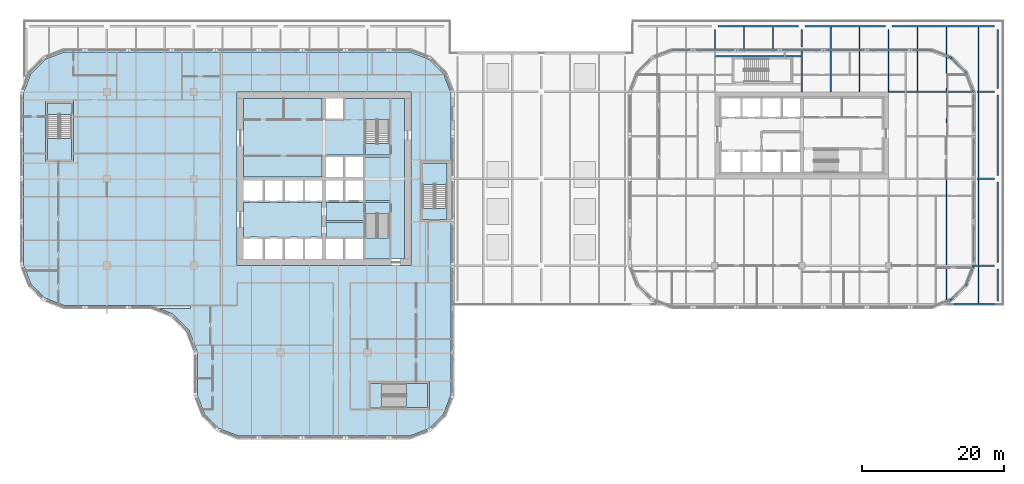
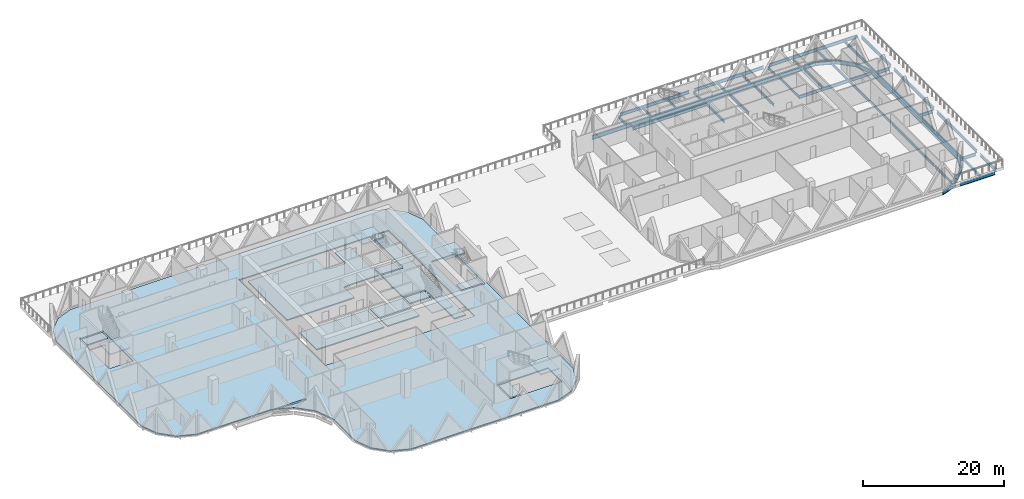
# One storey, part 4 of 21: 43 beams, 16 slabs, 5 elements without a shape of their own.
"""IFC4 building model written with IfcOpenShell, lengths in metres."""

from ifc_helpers import new_model, si_unit, direction, frame, origin, origin_2d, place, context, subcontext, project, spatial, polyline, i_section, outline, extrude, material, layer, layer_set, material_profile, profile_set, type_object, element, aggregate, save


model = new_model("IFC4")

# Units and contexts
model_context = context("Model", 3, precision=1e-05, world=origin(), true_north=direction((0.0, 1.0)))
body_context = subcontext(model_context, "Body", "Model", "MODEL_VIEW")
ifc_project = project(units=[si_unit("LENGTHUNIT", "METRE"), si_unit("AREAUNIT", "SQUARE_METRE"), si_unit("VOLUMEUNIT", "CUBIC_METRE"), si_unit("PLANEANGLEUNIT", "RADIAN"), si_unit("MASSUNIT", "GRAM", prefix="KILO")], contexts=[model_context])

# Site, building, storey
site_placement = place(None, origin())
site = spatial("IfcSite", under=ifc_project, at=site_placement, CompositionType="ELEMENT")
building_placement = place(site_placement, origin())
building = spatial("IfcBuilding", under=site, at=building_placement, Name="Tessera Gate Towers", CompositionType="ELEMENT")
storey_placement = place(building_placement, frame((0.0, 0.0, 16.800048828125)))
storey = spatial("IfcBuildingStorey", under=building, at=storey_placement, Name="L03", CompositionType="ELEMENT", Elevation=16.800048828125)

# Beams
ifc_material_1 = material(Name="Steel 350W", Category="steel")
ifc_material_profile_1 = material_profile(ifc_material_1, i_section(OverallWidth=0.2529296875, OverallDepth=0.677978515625, WebThickness=0.01171875, FlangeThickness=0.016357421875, at=origin_2d()), Name="W690x125")
ifc_profile_set_1 = profile_set([ifc_material_profile_1], Name="Steel 350W")
beam_type_1 = type_object("IfcBeamType", Name="FLOOR EDGE GIRDER W690x125", PredefinedType="BEAM", material=ifc_profile_set_1)
for number, where, z_axis, x_axis, name in (
    (1, (128.0380859375, 18.5439453125, -0.7890625), (0.932978940178, 0.359930961693, 0.0), (-0.359930961693, 0.932978940178, 0.0), "T2-GD-L03-640"),
    (2, (130.7900390625, 19.595703125, -0.339111328125), (0.707106781187, 0.707106781187, 0.0), (-0.707106781187, 0.707106781187, 0.0), "T2-GD-L03-641"),
    (3, (132.8798828125, 21.67236328125, -0.339111328125), (0.359930961693, 0.932978940178, 0.0), (-0.932978940178, 0.359930961693, 0.0), "T2-GD-L03-642"),
):
    element("IfcBeam", number, at=place(storey_placement, frame(where, z_axis=z_axis, x_axis=x_axis)), inside=storey, type_object=beam_type_1, Name=name, PredefinedType="BEAM", context=body_context, shape_type="SweptSolid", body=[
        extrude(i_section(OverallWidth=0.2529296875, OverallDepth=0.677978515625, WebThickness=0.01171875, FlangeThickness=0.016357421875, at=origin_2d()), origin(), (0.0, 0.0, 1.0), 2.989990234375),
    ])
beam_1_placement = place(storey_placement, frame((133.949951171875, 24.429931640625, -0.339111328125), z_axis=(0.0, 1.0, 0.0), x_axis=(-1.0, 0.0, 0.0)))
element("IfcBeam", 4, at=beam_1_placement, inside=storey, type_object=beam_type_1, Name="T2-GD-L03-643", PredefinedType="BEAM", context=body_context, shape_type="SweptSolid", body=[
    extrude(i_section(OverallWidth=0.2529296875, OverallDepth=0.677978515625, WebThickness=0.01171875, FlangeThickness=0.016357421875, at=origin_2d()), origin(), (0.0, 0.0, 1.0), 24.340087890625),
])
for number, where, z_axis, x_axis, name in (
    (5, (132.8798828125, 51.527587890625, -0.339111328125), (0.359930961693, -0.932978940178, 0.0), (0.932978940178, 0.359930961693, 0.0), "T2-GD-L03-644"),
    (6, (130.7900390625, 53.604248046875, -0.339111328125), (0.707106781187, -0.707106781187, 0.0), (0.707106781187, 0.707106781187, 0.0), "T2-GD-L03-645"),
    (7, (128.0380859375, 54.656005859375, -0.339111328125), (0.932978940178, -0.359930961693, 0.0), (0.359930961693, 0.932978940178, 0.0), "T2-GD-L03-646"),
):
    element("IfcBeam", number, at=place(storey_placement, frame(where, z_axis=z_axis, x_axis=x_axis)), inside=storey, type_object=beam_type_1, Name=name, PredefinedType="BEAM", context=body_context, shape_type="SweptSolid", body=[
        extrude(i_section(OverallWidth=0.2529296875, OverallDepth=0.677978515625, WebThickness=0.01171875, FlangeThickness=0.016357421875, at=origin_2d()), origin(), (0.0, 0.0, 1.0), 2.989990234375),
    ])
beam_2_placement = place(storey_placement, frame((91.530029296875, 54.64990234375, -0.339111328125), z_axis=(1.0, 0.0, 0.0), x_axis=(0.0, 1.0, 0.0)))
element("IfcBeam", 8, at=beam_2_placement, inside=storey, type_object=beam_type_1, Name="T2-GD-L03-647", PredefinedType="BEAM", context=body_context, shape_type="SweptSolid", body=[
    extrude(i_section(OverallWidth=0.2529296875, OverallDepth=0.677978515625, WebThickness=0.01171875, FlangeThickness=0.016357421875, at=origin_2d()), origin(), (0.0, 0.0, 1.0), 36.5400390625),
])
ifc_material_2 = material(Name="Steel 350W", Category="steel")
ifc_material_profile_2 = material_profile(ifc_material_2, i_section(OverallWidth=0.208984375, OverallDepth=0.532958984375, WebThickness=0.01025390625, FlangeThickness=0.015625, at=origin_2d()), Name="W530x92")
ifc_profile_set_2 = profile_set([ifc_material_profile_2], Name="Steel 350W")
beam_type_2 = type_object("IfcBeamType", Name="FLOOR GIRDER W530x92", PredefinedType="BEAM", material=ifc_profile_set_2)
beam_3_placement = place(storey_placement, frame((122.0009765625, 48.800048828125, -0.466552734375), z_axis=(1.0, 0.0, 0.0), x_axis=(0.0, 1.0, 0.0)))
element("IfcBeam", 9, at=beam_3_placement, inside=storey, type_object=beam_type_2, Name="T2-GD-L03-663", PredefinedType="BEAM", context=body_context, shape_type="SweptSolid", body=[
    extrude(i_section(OverallWidth=0.208984375, OverallDepth=0.532958984375, WebThickness=0.01025390625, FlangeThickness=0.015625, at=origin_2d()), origin(), (0.0, 0.0, 1.0), 11.79541015625),
])
beam_4_placement = place(storey_placement, frame((97.676513671875, 53.820068359375, -0.466552734375), z_axis=(1.0, 0.0, 0.0), x_axis=(0.0, 1.0, 0.0)))
element("IfcBeam", 10, at=beam_4_placement, inside=storey, type_object=beam_type_2, Name="T2-GD-L03-671", PredefinedType="BEAM", context=body_context, shape_type="SweptSolid", body=[
    extrude(i_section(OverallWidth=0.208984375, OverallDepth=0.532958984375, WebThickness=0.01025390625, FlangeThickness=0.015625, at=origin_2d()), origin(), (0.0, 0.0, 1.0), 12.046875),
])
beam_5_placement = place(storey_placement, frame((131.156005859375, 19.0, -0.716552734375), z_axis=(1.0, 0.0, 0.0), x_axis=(0.0, 1.0, 0.0)))
element("IfcBeam", 11, at=beam_5_placement, inside=storey, type_object=beam_type_2, Name="PD-R-GD-L03-704", PredefinedType="BEAM", context=body_context, shape_type="SweptSolid", body=[
    extrude(i_section(OverallWidth=0.208984375, OverallDepth=0.532958984375, WebThickness=0.01025390625, FlangeThickness=0.015625, at=origin_2d()), origin(), (0.0, 0.0, 1.0), 5.694091796875),
])
beam_6_placement = place(storey_placement, frame((133.79638671875, 24.39990234375, -0.716552734375), z_axis=(1.0, 0.0, 0.0), x_axis=(0.0, 1.0, 0.0)))
element("IfcBeam", 12, at=beam_6_placement, inside=storey, type_object=beam_type_2, Name="PD-R-GD-L03-714", PredefinedType="BEAM", context=body_context, shape_type="SweptSolid", body=[
    extrude(i_section(OverallWidth=0.208984375, OverallDepth=0.532958984375, WebThickness=0.01025390625, FlangeThickness=0.015625, at=origin_2d()), origin(), (0.0, 0.0, 1.0), 3.0537109375),
])
for number, where, z_axis, x_axis, name in (
    (13, (134.39990234375, 36.60009765625, -0.716552734375), (1.0, 0.0, 0.0), (0.0, 1.0, 0.0), "PD-R-GD-L03-717"),
    (14, (134.39990234375, 48.800048828125, -0.716552734375), (1.0, 0.0, 0.0), (0.0, 1.0, 0.0), "PD-R-GD-L03-720"),
):
    element("IfcBeam", number, at=place(storey_placement, frame(where, z_axis=z_axis, x_axis=x_axis)), inside=storey, type_object=beam_type_2, Name=name, PredefinedType="BEAM", context=body_context, shape_type="SweptSolid", body=[
        extrude(i_section(OverallWidth=0.208984375, OverallDepth=0.532958984375, WebThickness=0.01025390625, FlangeThickness=0.015625, at=origin_2d()), origin(), (0.0, 0.0, 1.0), 2.4501953125),
    ])
for number, where, z_axis, x_axis, name in (
    (15, (98.050048828125, 58.0, -0.716552734375), (1.0, 0.0, 0.0), (0.0, 1.0, 0.0), "PD-R-GD-L03-727"),
    (16, (110.25, 58.0, -0.716552734375), (1.0, 0.0, 0.0), (0.0, 1.0, 0.0), "PD-R-GD-L03-728"),
):
    element("IfcBeam", number, at=place(storey_placement, frame(where, z_axis=z_axis, x_axis=x_axis)), inside=storey, type_object=beam_type_2, Name=name, PredefinedType="BEAM", context=body_context, shape_type="SweptSolid", body=[
        extrude(i_section(OverallWidth=0.208984375, OverallDepth=0.532958984375, WebThickness=0.01025390625, FlangeThickness=0.015625, at=origin_2d()), origin(), (0.0, 0.0, 1.0), 11.300048828125),
    ])
beam_7_placement = place(storey_placement, frame((122.449951171875, 58.0, -0.716552734375), z_axis=(1.0, 0.0, 0.0), x_axis=(0.0, 1.0, 0.0)))
element("IfcBeam", 17, at=beam_7_placement, inside=storey, type_object=beam_type_2, Name="PD-R-GD-L03-729", PredefinedType="BEAM", context=body_context, shape_type="SweptSolid", body=[
    extrude(i_section(OverallWidth=0.208984375, OverallDepth=0.532958984375, WebThickness=0.01025390625, FlangeThickness=0.015625, at=origin_2d()), origin(), (0.0, 0.0, 1.0), 14.400146484375),
])
beam_8_placement = place(storey_placement, frame((137.300048828125, 19.449951171875, -0.716552734375), z_axis=(0.0, 1.0, 0.0), x_axis=(-1.0, 0.0, 0.0)))
element("IfcBeam", 18, at=beam_8_placement, inside=storey, type_object=beam_type_2, Name="PD-R-GD-L03-736", PredefinedType="BEAM", context=body_context, shape_type="SweptSolid", body=[
    extrude(i_section(OverallWidth=0.208984375, OverallDepth=0.532958984375, WebThickness=0.01025390625, FlangeThickness=0.015625, at=origin_2d()), origin(), (0.0, 0.0, 1.0), 4.5),
])
beam_9_placement = place(storey_placement, frame((137.300048828125, 24.85009765625, -0.716552734375), z_axis=(0.0, 1.0, 0.0), x_axis=(-1.0, 0.0, 0.0)))
element("IfcBeam", 19, at=beam_9_placement, inside=storey, type_object=beam_type_2, Name="PD-R-GD-L03-737", PredefinedType="BEAM", context=body_context, shape_type="SweptSolid", body=[
    extrude(i_section(OverallWidth=0.208984375, OverallDepth=0.532958984375, WebThickness=0.01025390625, FlangeThickness=0.015625, at=origin_2d()), origin(), (0.0, 0.0, 1.0), 11.2998046875),
])
beam_10_placement = place(storey_placement, frame((137.300048828125, 37.050048828125, -0.716552734375), z_axis=(0.0, 1.0, 0.0), x_axis=(-1.0, 0.0, 0.0)))
element("IfcBeam", 20, at=beam_10_placement, inside=storey, type_object=beam_type_2, Name="PD-R-GD-L03-738", PredefinedType="BEAM", context=body_context, shape_type="SweptSolid", body=[
    extrude(i_section(OverallWidth=0.208984375, OverallDepth=0.532958984375, WebThickness=0.01025390625, FlangeThickness=0.015625, at=origin_2d()), origin(), (0.0, 0.0, 1.0), 11.300048828125),
])
beam_11_placement = place(storey_placement, frame((137.300048828125, 49.25, -0.716552734375), z_axis=(0.0, 1.0, 0.0), x_axis=(-1.0, 0.0, 0.0)))
element("IfcBeam", 21, at=beam_11_placement, inside=storey, type_object=beam_type_2, Name="PD-R-GD-L03-739", PredefinedType="BEAM", context=body_context, shape_type="SweptSolid", body=[
    extrude(i_section(OverallWidth=0.208984375, OverallDepth=0.532958984375, WebThickness=0.01025390625, FlangeThickness=0.015625, at=origin_2d()), origin(), (0.0, 0.0, 1.0), 8.300048828125),
])
ifc_material_3 = material(Name="Steel 350W", Category="steel")
ifc_material_profile_3 = material_profile(ifc_material_3, i_section(OverallWidth=0.153076171875, OverallDepth=0.455078125, WebThickness=0.008056640625, FlangeThickness=0.01318359375, at=origin_2d()), Name="W460x60")
ifc_profile_set_3 = profile_set([ifc_material_profile_3], Name="Steel 350W")
beam_type_3 = type_object("IfcBeamType", Name="FLOOR SECONDARY W460x60", PredefinedType="BEAM", material=ifc_profile_set_3)
for number, where, z_axis, x_axis, name in (
    (22, (109.800048828125, 48.800048828125, -0.427490234375), (0.0, 1.0, 0.0), (-1.0, 0.0, 0.0), "T2-BM-L03-685"),
    (23, (113.86669921875, 48.800048828125, -0.427490234375), (0.0, 1.0, 0.0), (-1.0, 0.0, 0.0), "T2-BM-L03-688"),
    (24, (117.933349609375, 48.800048828125, -0.427490234375), (0.0, 1.0, 0.0), (-1.0, 0.0, 0.0), "T2-BM-L03-691"),
    (25, (122.0, 48.800048828125, -0.427490234375), (0.0, 1.0, 0.0), (-1.0, 0.0, 0.0), "T2-BM-L03-692"),
):
    element("IfcBeam", number, at=place(storey_placement, frame(where, z_axis=z_axis, x_axis=x_axis)), inside=storey, type_object=beam_type_3, Name=name, PredefinedType="BEAM", context=body_context, shape_type="SweptSolid", body=[
        extrude(i_section(OverallWidth=0.153076171875, OverallDepth=0.455078125, WebThickness=0.008056640625, FlangeThickness=0.01318359375, at=origin_2d()), origin(), (0.0, 0.0, 1.0), 5.723388671875),
    ])
beam_12_placement = place(storey_placement, frame((126.066650390625, 48.904541015625, -0.427490234375), z_axis=(0.0, 1.0, 0.0), x_axis=(-1.0, 0.0, 0.0)))
element("IfcBeam", 26, at=beam_12_placement, inside=storey, type_object=beam_type_3, Name="T2-BM-L03-696", PredefinedType="BEAM", context=body_context, shape_type="SweptSolid", body=[
    extrude(i_section(OverallWidth=0.153076171875, OverallDepth=0.455078125, WebThickness=0.008056640625, FlangeThickness=0.01318359375, at=origin_2d()), origin(), (0.0, 0.0, 1.0), 5.618896484375),
])
beam_13_placement = place(storey_placement, frame((130.13330078125, 19.48779296875, -0.427490234375), z_axis=(0.0, 1.0, 0.0), x_axis=(-1.0, 0.0, 0.0)))
element("IfcBeam", 27, at=beam_13_placement, inside=storey, type_object=beam_type_3, Name="T2-BM-L03-697", PredefinedType="BEAM", context=body_context, shape_type="SweptSolid", body=[
    extrude(i_section(OverallWidth=0.153076171875, OverallDepth=0.455078125, WebThickness=0.008056640625, FlangeThickness=0.01318359375, at=origin_2d()), origin(), (0.0, 0.0, 1.0), 4.8076171875),
])
beam_14_placement = place(storey_placement, frame((130.13330078125, 24.50439453125, -0.427490234375), z_axis=(0.0, 1.0, 0.0), x_axis=(-1.0, 0.0, 0.0)))
element("IfcBeam", 28, at=beam_14_placement, inside=storey, type_object=beam_type_3, Name="T2-BM-L03-698", PredefinedType="BEAM", context=body_context, shape_type="SweptSolid", body=[
    extrude(i_section(OverallWidth=0.153076171875, OverallDepth=0.455078125, WebThickness=0.008056640625, FlangeThickness=0.01318359375, at=origin_2d()), origin(), (0.0, 0.0, 1.0), 11.9912109375),
])
beam_15_placement = place(storey_placement, frame((130.13330078125, 36.70458984375, -0.427490234375), z_axis=(0.0, 1.0, 0.0), x_axis=(-1.0, 0.0, 0.0)))
element("IfcBeam", 29, at=beam_15_placement, inside=storey, type_object=beam_type_3, Name="T2-BM-L03-699", PredefinedType="BEAM", context=body_context, shape_type="SweptSolid", body=[
    extrude(i_section(OverallWidth=0.153076171875, OverallDepth=0.455078125, WebThickness=0.008056640625, FlangeThickness=0.01318359375, at=origin_2d()), origin(), (0.0, 0.0, 1.0), 11.990966796875),
])
beam_16_placement = place(storey_placement, frame((130.13330078125, 48.904541015625, -0.427490234375), z_axis=(0.0, 1.0, 0.0), x_axis=(-1.0, 0.0, 0.0)))
element("IfcBeam", 30, at=beam_16_placement, inside=storey, type_object=beam_type_3, Name="T2-BM-L03-700", PredefinedType="BEAM", context=body_context, shape_type="SweptSolid", body=[
    extrude(i_section(OverallWidth=0.153076171875, OverallDepth=0.455078125, WebThickness=0.008056640625, FlangeThickness=0.01318359375, at=origin_2d()), origin(), (0.0, 0.0, 1.0), 4.8076171875),
])
beam_17_placement = place(storey_placement, frame((97.60009765625, 54.75439453125, -0.677490234375), z_axis=(0.0, 1.0, 0.0), x_axis=(-1.0, 0.0, 0.0)))
element("IfcBeam", 31, at=beam_17_placement, inside=storey, type_object=beam_type_3, Name="PD-R-BM-L03-778", PredefinedType="BEAM", context=body_context, shape_type="SweptSolid", body=[
    extrude(i_section(OverallWidth=0.153076171875, OverallDepth=0.455078125, WebThickness=0.008056640625, FlangeThickness=0.01318359375, at=origin_2d()), origin(), (0.0, 0.0, 1.0), 2.795654296875),
])
for number, where, z_axis, x_axis, name in (
    (32, (101.666748046875, 54.75439453125, -0.677490234375), (0.0, 1.0, 0.0), (-1.0, 0.0, 0.0), "PD-R-BM-L03-779"),
    (33, (105.7333984375, 54.75439453125, -0.677490234375), (0.0, 1.0, 0.0), (-1.0, 0.0, 0.0), "PD-R-BM-L03-780"),
):
    element("IfcBeam", number, at=place(storey_placement, frame(where, z_axis=z_axis, x_axis=x_axis)), inside=storey, type_object=beam_type_3, Name=name, PredefinedType="BEAM", context=body_context, shape_type="SweptSolid", body=[
        extrude(i_section(OverallWidth=0.153076171875, OverallDepth=0.455078125, WebThickness=0.008056640625, FlangeThickness=0.01318359375, at=origin_2d()), origin(), (0.0, 0.0, 1.0), 3.14111328125),
    ])
beam_18_placement = place(storey_placement, frame((109.800048828125, 55.10009765625, -0.677490234375), z_axis=(0.0, 1.0, 0.0), x_axis=(-1.0, 0.0, 0.0)))
element("IfcBeam", 34, at=beam_18_placement, inside=storey, type_object=beam_type_3, Name="PD-R-BM-L03-781", PredefinedType="BEAM", context=body_context, shape_type="SweptSolid", body=[
    extrude(i_section(OverallWidth=0.153076171875, OverallDepth=0.455078125, WebThickness=0.008056640625, FlangeThickness=0.01318359375, at=origin_2d()), origin(), (0.0, 0.0, 1.0), 2.449951171875),
])
for number, where, z_axis, x_axis, name in (
    (35, (113.86669921875, 54.75439453125, -0.677490234375), (0.0, 1.0, 0.0), (-1.0, 0.0, 0.0), "PD-R-BM-L03-782"),
    (36, (117.933349609375, 54.75439453125, -0.677490234375), (0.0, 1.0, 0.0), (-1.0, 0.0, 0.0), "PD-R-BM-L03-783"),
):
    element("IfcBeam", number, at=place(storey_placement, frame(where, z_axis=z_axis, x_axis=x_axis)), inside=storey, type_object=beam_type_3, Name=name, PredefinedType="BEAM", context=body_context, shape_type="SweptSolid", body=[
        extrude(i_section(OverallWidth=0.153076171875, OverallDepth=0.455078125, WebThickness=0.008056640625, FlangeThickness=0.01318359375, at=origin_2d()), origin(), (0.0, 0.0, 1.0), 3.14111328125),
    ])
beam_19_placement = place(storey_placement, frame((122.0, 54.75439453125, -0.677490234375), z_axis=(0.0, 1.0, 0.0), x_axis=(-1.0, 0.0, 0.0)))
element("IfcBeam", 37, at=beam_19_placement, inside=storey, type_object=beam_type_3, Name="PD-R-BM-L03-784", PredefinedType="BEAM", context=body_context, shape_type="SweptSolid", body=[
    extrude(i_section(OverallWidth=0.153076171875, OverallDepth=0.455078125, WebThickness=0.008056640625, FlangeThickness=0.01318359375, at=origin_2d()), origin(), (0.0, 0.0, 1.0), 2.795654296875),
])
beam_20_placement = place(storey_placement, frame((126.066650390625, 54.75439453125, -0.677490234375), z_axis=(0.0, 1.0, 0.0), x_axis=(-1.0, 0.0, 0.0)))
element("IfcBeam", 38, at=beam_20_placement, inside=storey, type_object=beam_type_3, Name="PD-R-BM-L03-785", PredefinedType="BEAM", context=body_context, shape_type="SweptSolid", body=[
    extrude(i_section(OverallWidth=0.153076171875, OverallDepth=0.455078125, WebThickness=0.008056640625, FlangeThickness=0.01318359375, at=origin_2d()), origin(), (0.0, 0.0, 1.0), 3.14111328125),
])
beam_21_placement = place(storey_placement, frame((130.13330078125, 53.959716796875, -0.677490234375), z_axis=(0.0, 1.0, 0.0), x_axis=(-1.0, 0.0, 0.0)))
element("IfcBeam", 39, at=beam_21_placement, inside=storey, type_object=beam_type_3, Name="PD-R-BM-L03-786", PredefinedType="BEAM", context=body_context, shape_type="SweptSolid", body=[
    extrude(i_section(OverallWidth=0.153076171875, OverallDepth=0.455078125, WebThickness=0.008056640625, FlangeThickness=0.01318359375, at=origin_2d()), origin(), (0.0, 0.0, 1.0), 3.935791015625),
])
beam_22_placement = place(storey_placement, frame((134.631103515625, 19.1044921875, -0.677490234375), z_axis=(0.0, 1.0, 0.0), x_axis=(-1.0, 0.0, 0.0)))
element("IfcBeam", 40, at=beam_22_placement, inside=storey, type_object=beam_type_3, Name="PD-R-BM-L03-787", PredefinedType="BEAM", context=body_context, shape_type="SweptSolid", body=[
    extrude(i_section(OverallWidth=0.153076171875, OverallDepth=0.455078125, WebThickness=0.008056640625, FlangeThickness=0.01318359375, at=origin_2d()), origin(), (0.0, 0.0, 1.0), 5.19091796875),
])
beam_23_placement = place(storey_placement, frame((134.631103515625, 24.50439453125, -0.677490234375), z_axis=(0.0, 1.0, 0.0), x_axis=(-1.0, 0.0, 0.0)))
element("IfcBeam", 41, at=beam_23_placement, inside=storey, type_object=beam_type_3, Name="PD-R-BM-L03-788", PredefinedType="BEAM", context=body_context, shape_type="SweptSolid", body=[
    extrude(i_section(OverallWidth=0.153076171875, OverallDepth=0.455078125, WebThickness=0.008056640625, FlangeThickness=0.01318359375, at=origin_2d()), origin(), (0.0, 0.0, 1.0), 11.9912109375),
])
beam_24_placement = place(storey_placement, frame((134.631103515625, 36.70458984375, -0.677490234375), z_axis=(0.0, 1.0, 0.0), x_axis=(-1.0, 0.0, 0.0)))
element("IfcBeam", 42, at=beam_24_placement, inside=storey, type_object=beam_type_3, Name="PD-R-BM-L03-789", PredefinedType="BEAM", context=body_context, shape_type="SweptSolid", body=[
    extrude(i_section(OverallWidth=0.153076171875, OverallDepth=0.455078125, WebThickness=0.008056640625, FlangeThickness=0.01318359375, at=origin_2d()), origin(), (0.0, 0.0, 1.0), 11.990966796875),
])
beam_25_placement = place(storey_placement, frame((134.631103515625, 48.904541015625, -0.677490234375), z_axis=(0.0, 1.0, 0.0), x_axis=(-1.0, 0.0, 0.0)))
element("IfcBeam", 43, at=beam_25_placement, inside=storey, type_object=beam_type_3, Name="PD-R-BM-L03-790", PredefinedType="BEAM", context=body_context, shape_type="SweptSolid", body=[
    extrude(i_section(OverallWidth=0.153076171875, OverallDepth=0.455078125, WebThickness=0.008056640625, FlangeThickness=0.01318359375, at=origin_2d()), origin(), (0.0, 0.0, 1.0), 8.990966796875),
])

# Slabs
ifc_material_4 = material(Name="Concrete C35/45", Category="concrete")
ifc_layer_1 = layer(ifc_material_4, 0.199951171875)
ifc_layer_set_1 = layer_set([ifc_layer_1], Name="COMPOSITE FLOOR 200")
slab_type_1 = type_object("IfcSlabType", Name="COMPOSITE FLOOR 200", PredefinedType="FLOOR", material=ifc_layer_set_1)
slab_1_placement = place(storey_placement, frame((0.0, 0.0, -0.199951171875)))
element("IfcSlab", 44, at=slab_1_placement, inside=storey, type_object=slab_type_1, Name="T1-L03", PredefinedType="FLOOR", context=body_context, shape_type="SweptSolid", body=[
    extrude(outline(polyline([(0.5, 24.4931640625), (1.526123046875, 21.8330078125), (3.533203125, 19.826171875), (6.193115234375, 18.800048828125), (18.39306640625, 18.800048828125), (18.645751953125, 18.702392578125), (23.9599609375, 18.702392578125), (23.9599609375, 18.3974609375), (19.4365234375, 18.3974609375), (21.42431640625, 17.630615234375), (23.730712890625, 15.32421875), (24.89990234375, 12.293212890625), (24.89990234375, 6.193115234375), (25.926025390625, 3.533203125), (27.93310546875, 1.526123046875), (30.593017578125, 0.5), (54.806884765625, 0.5), (57.466796875, 1.526123046875), (59.473876953125, 3.533203125), (60.5, 6.193115234375), (60.5, 48.706787109375), (59.473876953125, 51.366943359375), (57.466796875, 53.373779296875), (54.806884765625, 54.39990234375), (6.193115234375, 54.39990234375), (3.533203125, 53.373779296875), (1.526123046875, 51.366943359375), (0.5, 48.706787109375), (0.5, 24.4931640625)]), holes=[polyline([(3.60009765625, 39.0), (3.60009765625, 47.5), (7.5, 47.5), (7.5, 39.0), (3.60009765625, 39.0)]), polyline([(30.5, 24.39990234375), (30.5, 48.800048828125), (54.89990234375, 48.800048828125), (54.89990234375, 24.39990234375), (30.5, 24.39990234375)]), polyline([(49.0, 4.199951171875), (49.0, 8.10009765625), (57.5, 8.10009765625), (57.5, 4.199951171875), (49.0, 4.199951171875)]), polyline([(56.300048828125, 30.60009765625), (56.300048828125, 39.10009765625), (60.199951171875, 39.10009765625), (60.199951171875, 30.60009765625), (56.300048828125, 30.60009765625)])]), origin(), (0.0, 0.0, 1.0), 0.199951171875),
])
ifc_material_5 = material(Name="Concrete C35/45", Category="concrete")
ifc_layer_2 = layer(ifc_material_5, 0.199951171875)
ifc_layer_set_2 = layer_set([ifc_layer_2], Name="CORE FLOOR SLAB 200")
slab_type_2 = type_object("IfcSlabType", Name="CORE FLOOR SLAB 200", PredefinedType="FLOOR", material=ifc_layer_set_2)
slab_2_placement = place(storey_placement, frame((0.0, 0.0, -0.199951171875)))
element("IfcSlab", 45, at=slab_2_placement, inside=storey, type_object=slab_type_2, Name="L03 core floor slab", PredefinedType="FLOOR", context=body_context, shape_type="SweptSolid", body=[
    extrude(outline(polyline([(31.39990234375, 47.89990234375), (31.39990234375, 36.85009765625), (42.449951171875, 36.85009765625), (42.449951171875, 39.800048828125), (42.949951171875, 39.800048828125), (42.949951171875, 39.925048828125), (48.22509765625, 39.925048828125), (48.22509765625, 47.89990234375), (45.64990234375, 47.89990234375), (45.64990234375, 44.89990234375), (45.39990234375, 44.89990234375), (45.39990234375, 44.77490234375), (42.949951171875, 44.77490234375), (42.949951171875, 44.89990234375), (42.449951171875, 44.89990234375), (42.449951171875, 47.89990234375), (31.39990234375, 47.89990234375)])), origin(), (0.0, 0.0, 1.0), 0.199951171875),
])
slab_3_placement = place(storey_placement, frame((0.0, 0.0, -0.199951171875)))
element("IfcSlab", 46, at=slab_3_placement, inside=storey, type_object=slab_type_2, Name="L03 core floor slab", PredefinedType="FLOOR", context=body_context, shape_type="SweptSolid", body=[
    extrude(outline(polyline([(48.35009765625, 36.85009765625), (48.35009765625, 36.35009765625), (48.47509765625, 36.35009765625), (48.47509765625, 33.52490234375), (52.0, 33.52490234375), (52.0, 33.27490234375), (52.125, 33.27490234375), (52.125, 25.300048828125), (54.0, 25.300048828125), (54.0, 47.89990234375), (52.125, 47.89990234375), (52.125, 39.925048828125), (52.0, 39.925048828125), (52.0, 39.675048828125), (48.47509765625, 39.675048828125), (48.47509765625, 36.85009765625), (48.35009765625, 36.85009765625)])), origin(), (0.0, 0.0, 1.0), 0.199951171875),
])
slab_4_placement = place(storey_placement, frame((0.0, 0.0, -0.199951171875)))
element("IfcSlab", 47, at=slab_4_placement, inside=storey, type_object=slab_type_2, Name="L03 core floor slab", PredefinedType="FLOOR", context=body_context, shape_type="SweptSolid", body=[
    extrude(outline(polyline([(42.449951171875, 28.425048828125), (42.449951171875, 33.27490234375), (31.39990234375, 33.27490234375), (31.39990234375, 28.425048828125), (42.449951171875, 28.425048828125)])), origin(), (0.0, 0.0, 1.0), 0.199951171875),
])
slab_5_placement = place(storey_placement, frame((0.0, 0.0, -0.199951171875)))
element("IfcSlab", 48, at=slab_5_placement, inside=storey, type_object=slab_type_2, Name="L03 core floor slab", PredefinedType="FLOOR", context=body_context, shape_type="SweptSolid", body=[
    extrude(outline(polyline([(42.949951171875, 33.27490234375), (42.949951171875, 30.72509765625), (48.22509765625, 30.72509765625), (48.22509765625, 33.27490234375), (42.949951171875, 33.27490234375)])), origin(), (0.0, 0.0, 1.0), 0.199951171875),
])
slab_6_placement = place(storey_placement, frame((0.0, 0.0, -0.199951171875)))
element("IfcSlab", 49, at=slab_6_placement, inside=storey, type_object=slab_type_2, Name="L03 core floor slab", PredefinedType="FLOOR", context=body_context, shape_type="SweptSolid", body=[
    extrude(outline(polyline([(42.949951171875, 30.47509765625), (42.949951171875, 28.425048828125), (48.22509765625, 28.425048828125), (48.22509765625, 30.47509765625), (42.949951171875, 30.47509765625)])), origin(), (0.0, 0.0, 1.0), 0.199951171875),
])
slab_7_placement = place(storey_placement, frame((0.0, 0.0, -0.199951171875)))
element("IfcSlab", 50, at=slab_7_placement, inside=storey, type_object=slab_type_2, Name="L03 core floor slab", PredefinedType="FLOOR", context=body_context, shape_type="SweptSolid", body=[
    extrude(outline(polyline([(51.875, 31.675048828125), (51.875, 33.27490234375), (48.47509765625, 33.27490234375), (48.47509765625, 31.675048828125), (51.875, 31.675048828125)])), origin(), (0.0, 0.0, 1.0), 0.199951171875),
])
slab_8_placement = place(storey_placement, frame((0.0, 0.0, -0.199951171875)))
element("IfcSlab", 51, at=slab_8_placement, inside=storey, type_object=slab_type_2, Name="L03 core floor slab", PredefinedType="FLOOR", context=body_context, shape_type="SweptSolid", body=[
    extrude(outline(polyline([(48.47509765625, 41.52490234375), (48.47509765625, 39.925048828125), (51.875, 39.925048828125), (51.875, 41.52490234375), (48.47509765625, 41.52490234375)])), origin(), (0.0, 0.0, 1.0), 0.199951171875),
])
slab_9_placement = place(storey_placement, frame((0.0, 0.0, -0.199951171875)))
element("IfcSlab", 52, at=slab_9_placement, inside=storey, type_object=slab_type_2, Name="L03 ST3 floor landing", PredefinedType="FLOOR", context=body_context, shape_type="SweptSolid", body=[
    extrude(outline(polyline([(3.85009765625, 47.25), (3.85009765625, 45.64990234375), (7.25, 45.64990234375), (7.25, 47.25), (3.85009765625, 47.25)])), origin(), (0.0, 0.0, 1.0), 0.199951171875),
])
slab_10_placement = place(storey_placement, frame((0.0, 0.0, -0.199951171875)))
element("IfcSlab", 53, at=slab_10_placement, inside=storey, type_object=slab_type_2, Name="L03 ST4 floor landing", PredefinedType="FLOOR", context=body_context, shape_type="SweptSolid", body=[
    extrude(outline(polyline([(49.25, 4.449951171875), (50.85009765625, 4.449951171875), (50.85009765625, 7.85009765625), (49.25, 7.85009765625), (49.25, 4.449951171875)])), origin(), (0.0, 0.0, 1.0), 0.199951171875),
])
slab_11_placement = place(storey_placement, frame((0.0, 0.0, -0.199951171875)))
element("IfcSlab", 54, at=slab_11_placement, inside=storey, type_object=slab_type_2, Name="L03 ST5 floor landing", PredefinedType="FLOOR", context=body_context, shape_type="SweptSolid", body=[
    extrude(outline(polyline([(59.949951171875, 30.85009765625), (59.949951171875, 32.449951171875), (56.550048828125, 32.449951171875), (56.550048828125, 30.85009765625), (59.949951171875, 30.85009765625)])), origin(), (0.0, 0.0, 1.0), 0.199951171875),
])

# Stair, slab
ifc_material_6 = material(Name="Concrete C40/50", Category="concrete")
stair_type_1 = type_object("IfcStairType", Name="EXIT STAIR ST1B 1600", PredefinedType="HALF_TURN_STAIR", material=ifc_material_6)
stair_1_placement = place(storey_placement, origin())
stair_1 = element("IfcStair", 55, at=stair_1_placement, inside=storey, type_object=stair_type_1, Name="L03 Protected Exit Stair ST1", PredefinedType="HALF_TURN_STAIR")
ifc_material_7 = material(Name="Concrete C40/50", Category="concrete")
ifc_layer_3 = layer(ifc_material_7, 0.199951171875)
ifc_layer_set_3 = layer_set([ifc_layer_3], Name="EXIT STAIR LANDING 200")
slab_type_3 = type_object("IfcSlabType", Name="EXIT STAIR LANDING 200", PredefinedType="LANDING", material=ifc_layer_set_3)
slab_12_placement = place(storey_placement, frame((0.0, 0.0, 2.050048828125)))
slab_12 = element("IfcSlab", 56, at=slab_12_placement, type_object=slab_type_3, Name="ST1 landing 1", PredefinedType="LANDING", context=body_context, shape_type="SweptSolid", body=[
    extrude(outline(polyline([(48.47509765625, 28.31494140625), (48.47509765625, 25.300048828125), (51.875, 25.300048828125), (51.875, 28.31494140625), (48.47509765625, 28.31494140625)])), origin(), (0.0, 0.0, 1.0), 0.199951171875),
])
aggregate(stair_1, [slab_12])

ifc_material_8 = material(Name="Concrete C40/50", Category="concrete")
stair_type_2 = type_object("IfcStairType", Name="EXIT STAIR ST2B 1600", PredefinedType="HALF_TURN_STAIR", material=ifc_material_8)
stair_2_placement = place(storey_placement, origin())
stair_2 = element("IfcStair", 57, at=stair_2_placement, inside=storey, type_object=stair_type_2, Name="L03 Protected Exit Stair ST2", PredefinedType="HALF_TURN_STAIR")
slab_13_placement = place(storey_placement, frame((0.0, 0.0, 2.050048828125)))
slab_13 = element("IfcSlab", 58, at=slab_13_placement, type_object=slab_type_3, Name="ST2 landing 1", PredefinedType="LANDING", context=body_context, shape_type="SweptSolid", body=[
    extrude(outline(polyline([(51.875, 44.885009765625), (51.875, 47.89990234375), (48.47509765625, 47.89990234375), (48.47509765625, 44.885009765625), (51.875, 44.885009765625)])), origin(), (0.0, 0.0, 1.0), 0.199951171875),
])
aggregate(stair_2, [slab_13])

ifc_material_9 = material(Name="Concrete C40/50", Category="concrete")
stair_type_3 = type_object("IfcStairType", Name="EXIT STAIR ST3B 1600", PredefinedType="HALF_TURN_STAIR", material=ifc_material_9)
stair_3_placement = place(storey_placement, origin())
stair_3 = element("IfcStair", 59, at=stair_3_placement, inside=storey, type_object=stair_type_3, Name="L03 West Exit Stair ST3", PredefinedType="HALF_TURN_STAIR")
slab_14_placement = place(storey_placement, frame((0.0, 0.0, 2.050048828125)))
slab_14 = element("IfcSlab", 60, at=slab_14_placement, type_object=slab_type_3, Name="ST3 landing 1", PredefinedType="LANDING", context=body_context, shape_type="SweptSolid", body=[
    extrude(outline(polyline([(3.85009765625, 42.2900390625), (3.85009765625, 39.25), (7.25, 39.25), (7.25, 42.2900390625), (3.85009765625, 42.2900390625)])), origin(), (0.0, 0.0, 1.0), 0.199951171875),
])
aggregate(stair_3, [slab_14])

ifc_material_10 = material(Name="Concrete C40/50", Category="concrete")
stair_type_4 = type_object("IfcStairType", Name="EXIT STAIR ST4B 1600", PredefinedType="HALF_TURN_STAIR", material=ifc_material_10)
stair_4_placement = place(storey_placement, origin())
stair_4 = element("IfcStair", 61, at=stair_4_placement, inside=storey, type_object=stair_type_4, Name="L03 South Exit Stair ST4", PredefinedType="HALF_TURN_STAIR")
slab_15_placement = place(storey_placement, frame((0.0, 0.0, 2.050048828125)))
slab_15 = element("IfcSlab", 62, at=slab_15_placement, type_object=slab_type_3, Name="ST4 landing 1", PredefinedType="LANDING", context=body_context, shape_type="SweptSolid", body=[
    extrude(outline(polyline([(54.2099609375, 4.449951171875), (57.25, 4.449951171875), (57.25, 7.85009765625), (54.2099609375, 7.85009765625), (54.2099609375, 4.449951171875)])), origin(), (0.0, 0.0, 1.0), 0.199951171875),
])
aggregate(stair_4, [slab_15])

ifc_material_11 = material(Name="Concrete C40/50", Category="concrete")
stair_type_5 = type_object("IfcStairType", Name="EXIT STAIR ST5B 1600", PredefinedType="HALF_TURN_STAIR", material=ifc_material_11)
stair_5_placement = place(storey_placement, origin())
stair_5 = element("IfcStair", 63, at=stair_5_placement, inside=storey, type_object=stair_type_5, Name="L03 East Exit Stair ST5", PredefinedType="HALF_TURN_STAIR")
slab_16_placement = place(storey_placement, frame((0.0, 0.0, 2.050048828125)))
slab_16 = element("IfcSlab", 64, at=slab_16_placement, type_object=slab_type_3, Name="ST5 landing 1", PredefinedType="LANDING", context=body_context, shape_type="SweptSolid", body=[
    extrude(outline(polyline([(59.949951171875, 35.81005859375), (59.949951171875, 38.85009765625), (56.550048828125, 38.85009765625), (56.550048828125, 35.81005859375), (59.949951171875, 35.81005859375)])), origin(), (0.0, 0.0, 1.0), 0.199951171875),
])
aggregate(stair_5, [slab_16])

save(model, "model.ifc")
